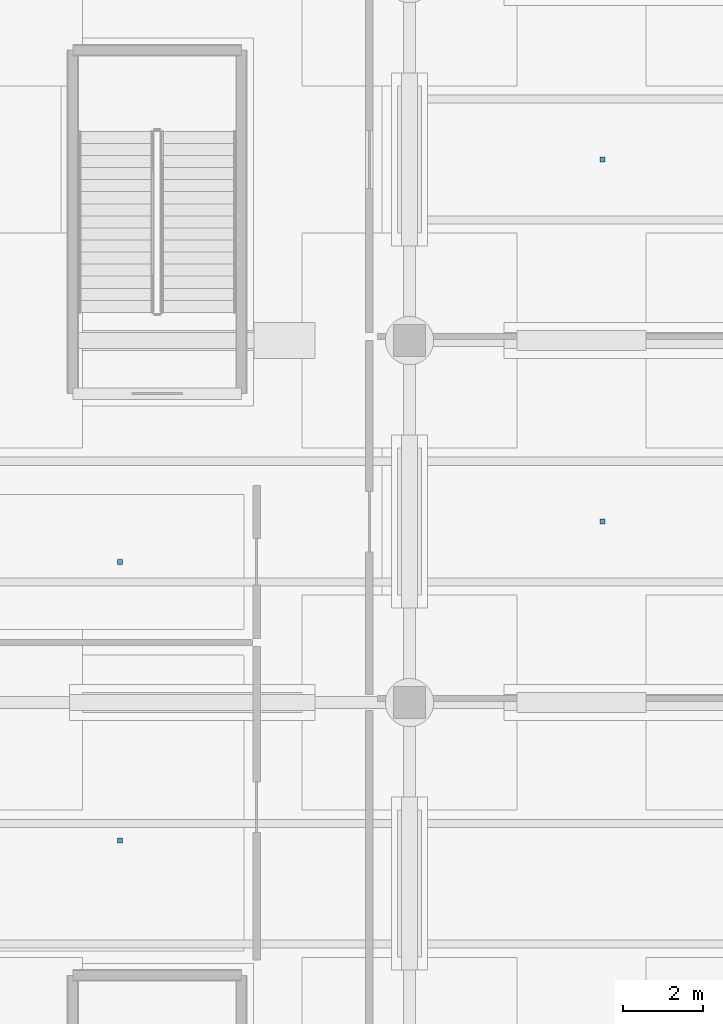
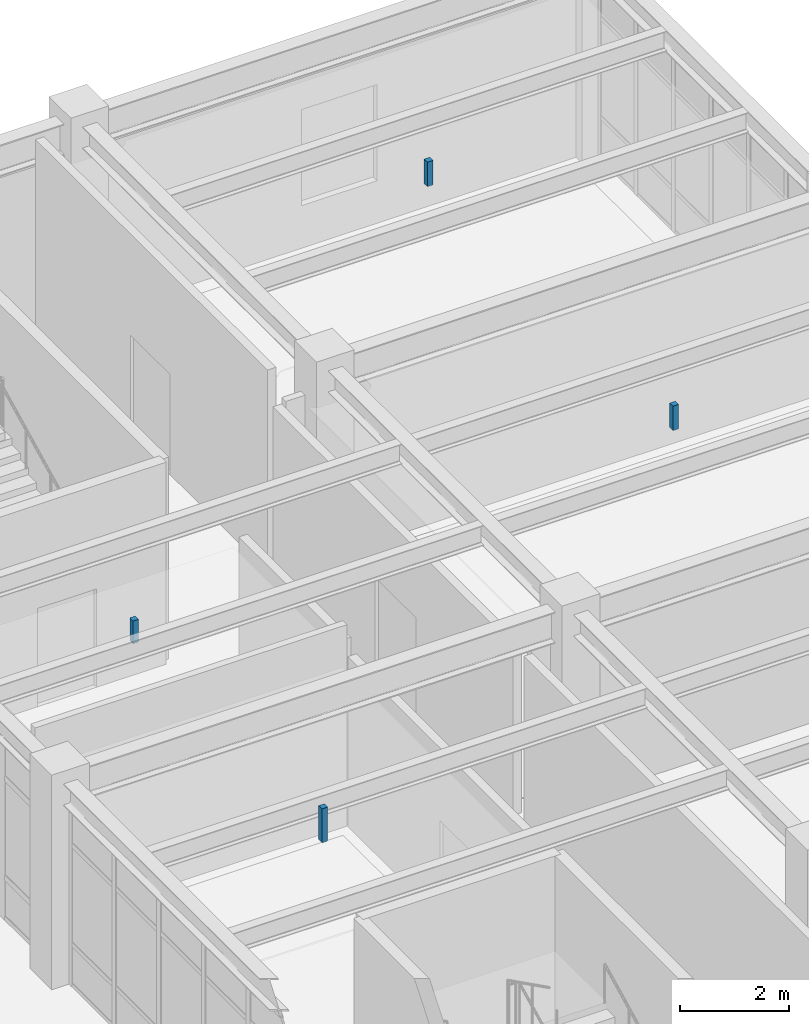
# One storey, part 83 of 98: 4 discrete accessories.
"""IFC4 building model written with IfcOpenShell, lengths in metres."""

from ifc_helpers import new_model, si_unit, direction, frame, origin, origin_2d, place, context, subcontext, project, spatial, rectangle, extrude, material, layer, layer_set, type_object, element, save


model = new_model("IFC4")

# Units and contexts
model_context = context("Model", 3, precision=1e-05, world=origin(), true_north=direction((0.0, 1.0)))
body_context = subcontext(model_context, "Body", "Model", "MODEL_VIEW")
ifc_project = project(units=[si_unit("LENGTHUNIT", "METRE"), si_unit("AREAUNIT", "SQUARE_METRE"), si_unit("VOLUMEUNIT", "CUBIC_METRE"), si_unit("PLANEANGLEUNIT", "RADIAN"), si_unit("MASSUNIT", "GRAM", prefix="KILO")], contexts=[model_context])

# Site, building, storey
site_placement = place(None, origin())
site = spatial("IfcSite", under=ifc_project, at=site_placement, CompositionType="ELEMENT")
building_placement = place(site_placement, origin())
building = spatial("IfcBuilding", under=site, at=building_placement, Name="Canglan Escarpment Cableway Terminal", CompositionType="ELEMENT")
storey_placement = place(building_placement, frame((0.0, 0.0, 9.60009765625)))
storey = spatial("IfcBuildingStorey", under=building, at=storey_placement, Name="L02", CompositionType="ELEMENT", Elevation=9.60009765625)

# Discrete accessories
ifc_material = material(Name="Steel Q355B", Category="steel")
ifc_layer = layer(ifc_material, 0.159912109375, Name="Steel Q355B")
ifc_layer_set = layer_set([ifc_layer], Name="Steel Q355B")
discrete_accessory_type = type_object("IfcDiscreteAccessoryType", Name="ACC-BRACKET-01", PredefinedType="BRACKET", material=ifc_layer_set)
for number, where, z_axis, x_axis, name in (
    (1, (130.699951171875, 65.5, 3.99169921875), (0.0, 0.0, 1.0), (1.0, 0.0, 0.0), "Suspended ceiling hanger bracket BK-01"),
    (2, (130.699951171875, 74.5, 3.99169921875), (0.0, 0.0, 1.0), (1.0, 0.0, 0.0), "Suspended ceiling hanger bracket BK-01"),
):
    element("IfcDiscreteAccessory", number, at=place(storey_placement, frame(where, z_axis=z_axis, x_axis=x_axis)), inside=storey, type_object=discrete_accessory_type, Name=name, PredefinedType="BRACKET", context=body_context, shape_type="SweptSolid", body=[
        extrude(rectangle(XDim=0.1201171875, YDim=0.1201171875, at=origin_2d()), origin(), (0.0, 0.0, 1.0), 0.548095703125),
    ])
discrete_accessory_1_placement = place(storey_placement, frame((118.699951171875, 57.57421875, 3.77978515625), z_axis=(0.0, 0.0, 1.0), x_axis=(1.0, 0.0, 0.0)))
element("IfcDiscreteAccessory", 3, at=discrete_accessory_1_placement, inside=storey, type_object=discrete_accessory_type, Name="Suspended ceiling hanger bracket BK-01", PredefinedType="BRACKET", context=body_context, shape_type="SweptSolid", body=[
    extrude(rectangle(XDim=0.1201171875, YDim=0.1201171875, at=origin_2d()), origin(), (0.0, 0.0, 1.0), 0.760009765625),
])
discrete_accessory_2_placement = place(storey_placement, frame((118.699951171875, 64.5, 4.02978515625), z_axis=(0.0, 0.0, 1.0), x_axis=(1.0, 0.0, 0.0)))
element("IfcDiscreteAccessory", 4, at=discrete_accessory_2_placement, inside=storey, type_object=discrete_accessory_type, Name="Suspended ceiling hanger bracket BK-01", PredefinedType="BRACKET", context=body_context, shape_type="SweptSolid", body=[
    extrude(rectangle(XDim=0.1201171875, YDim=0.1201171875, at=origin_2d()), origin(), (0.0, 0.0, 1.0), 0.510009765625),
])

save(model, "model.ifc")
